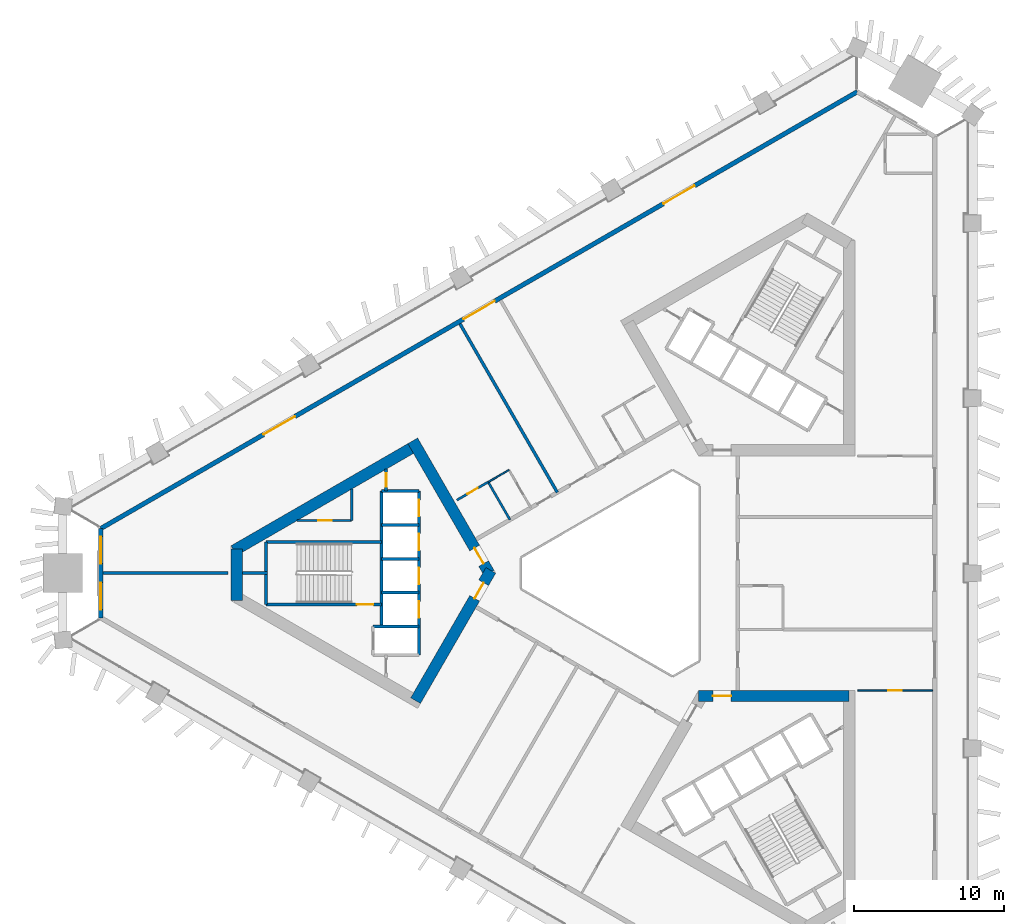
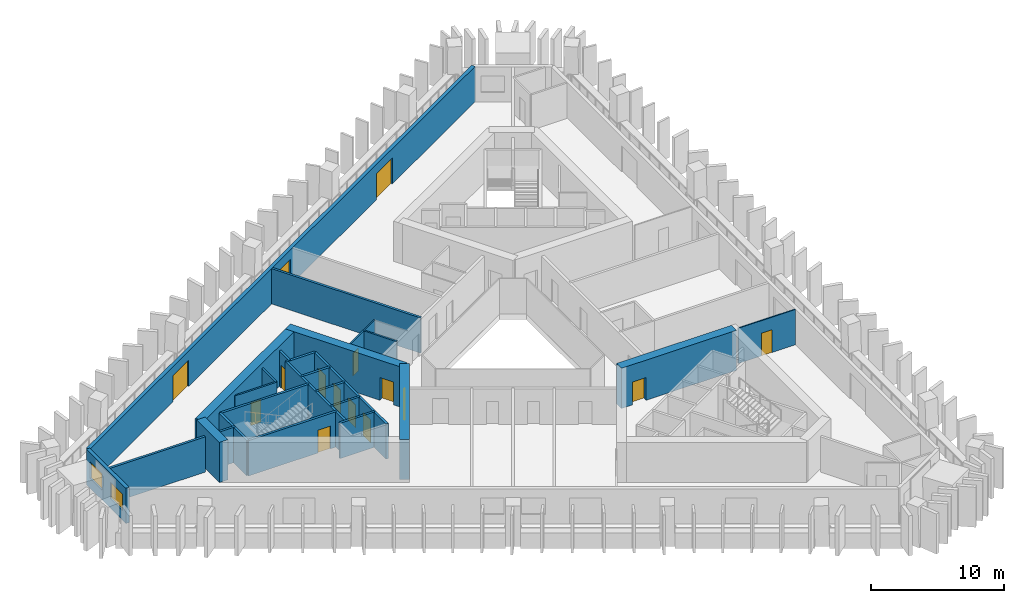
# One storey, part 4 of 9: 27 walls, 15 doors, 2 windows, 17 openings.
"""IFC4 building model written with IfcOpenShell, lengths in metres."""

from ifc_helpers import new_model, si_unit, direction, frame, frame_2d, origin, place, context, subcontext, project, spatial, rectangle, extrude, material, layer, layer_set, type_object, element, fill, save


model = new_model("IFC4")

# Units and contexts
model_context = context("Model", 3, precision=1e-05, world=origin(), true_north=direction((0.0, 1.0)))
body_context = subcontext(model_context, "Body", "Model", "MODEL_VIEW")
ifc_project = project(units=[si_unit("LENGTHUNIT", "METRE"), si_unit("AREAUNIT", "SQUARE_METRE"), si_unit("VOLUMEUNIT", "CUBIC_METRE"), si_unit("PLANEANGLEUNIT", "RADIAN"), si_unit("MASSUNIT", "GRAM", prefix="KILO")], contexts=[model_context])

# Site, building, storey
site_placement = place(None, origin())
site = spatial("IfcSite", under=ifc_project, at=site_placement, CompositionType="ELEMENT")
building_placement = place(site_placement, origin())
building = spatial("IfcBuilding", under=site, at=building_placement, Name="Jabali Bay Hotel Tower and Convention Centre", CompositionType="ELEMENT")
storey_placement = place(building_placement, frame((0.0, 0.0, 94.300048828125)))
storey = spatial("IfcBuildingStorey", under=building, at=storey_placement, Name="L22", CompositionType="ELEMENT", Elevation=94.300048828125)

# Wall
ifc_material_1 = material(Name="Concrete C40", Category="concrete")
ifc_layer_1 = layer(ifc_material_1, 0.199951171875)
ifc_layer_set_1 = layer_set([ifc_layer_1], Name="Concrete C40")
wall_type_1 = type_object("IfcWallType", Name="Core partition wall 200", PredefinedType="PARTITIONING", material=ifc_layer_set_1)
wall_1_placement = place(storey_placement, frame((50.820068359375, 80.0, 0.0), z_axis=(0.0, 0.0, 1.0), x_axis=(-1.0, 0.0, 0.0)))
element("IfcWall", 1, at=wall_1_placement, inside=storey, type_object=wall_type_1, Name="Core wall 0.5 L22", PredefinedType="PARTITIONING", context=body_context, shape_type="SweptSolid", body=[
    extrude(rectangle(XDim=1.673095703125, YDim=0.199951171875, at=frame_2d((0.83642578125, 0.0))), origin(), (0.0, 0.0, 1.0), 3.25),
])

# Wall, opening, door
wall_2_placement = place(storey_placement, frame((58.719970703125, 86.916748046875, 0.0), z_axis=(0.0, 0.0, 1.0), x_axis=(0.0, -1.0, 0.0)))
wall_2 = element("IfcWall", 2, at=wall_2_placement, inside=storey, type_object=wall_type_1, Name="Core wall 0.11 L22", PredefinedType="PARTITIONING", context=body_context, shape_type="SweptSolid", body=[
    extrude(rectangle(XDim=1.466796875, YDim=0.199951171875, at=frame_2d((0.7333984375, 0.0))), origin(), (0.0, 0.0, 1.0), 3.25),
])
opening_1_placement = place(wall_2_placement, frame((0.283447265625, 0.0, 0.0)))
opening_1 = element("IfcOpeningElement", 3, at=opening_1_placement, cuts=wall_2, Name="Opening D513", PredefinedType="OPENING", context=body_context, shape_type="SweptSolid", body=[
    extrude(rectangle(XDim=0.89990234375, YDim=2.10009765625, at=frame_2d((0.449951171875, 1.050048828125))), frame((0.0, 0.1103515625, 0.0), z_axis=(0.0, -1.0, 0.0), x_axis=(1.0, 0.0, 0.0)), (0.0, 0.0, 1.0), 0.220947265625),
])
ifc_material_2 = material(Name="Fire-rated steel door", Category="steel")
door_type_1 = type_object("IfcDoorType", Name="Vestibule fire door 900 x 2100", OperationType="NOTDEFINED", PredefinedType="NOTDEFINED", material=ifc_material_2)
door_1_placement = place(opening_1_placement, origin())
door_1 = element("IfcDoor", 4, at=door_1_placement, inside=storey, type_object=door_type_1, Name="Vestibule fire door D513", OperationType="SINGLE_SWING_LEFT", OverallHeight=2.10009765625, OverallWidth=0.89990234375, PredefinedType="NOTDEFINED", context=body_context, shape_type="SweptSolid", body=[
    extrude(rectangle(XDim=0.89990234375, YDim=2.10009765625, at=frame_2d((0.449951171875, 1.050048828125))), frame((0.0, 0.02490234375, 0.0), z_axis=(0.0, -1.0, 0.0), x_axis=(1.0, 0.0, 0.0)), (0.0, 0.0, 1.0), 0.050048828125),
])
fill(opening_1, door_1)

ifc_material_3 = material(Name="Fire-rated board partition")
ifc_layer_2 = layer(ifc_material_3, 0.14990234375)
ifc_layer_set_2 = layer_set([ifc_layer_2], Name="Fire-rated board partition")
wall_type_2 = type_object("IfcWallType", Name="Core room partition 150", PredefinedType="PARTITIONING", material=ifc_layer_set_2)
wall_3_placement = place(storey_placement, frame((56.419921875, 83.5, 0.0), z_axis=(0.0, 0.0, 1.0), x_axis=(-1.0, 0.0, 0.0)))
wall_3 = element("IfcWall", 5, at=wall_3_placement, inside=storey, type_object=wall_type_2, Name="Core wall 0.1 L22", PredefinedType="PARTITIONING", context=body_context, shape_type="SweptSolid", body=[
    extrude(rectangle(XDim=3.61767578125, YDim=0.14990234375, at=frame_2d((1.808837890625, 0.0))), origin(), (0.0, 0.0, 1.0), 3.25),
])
opening_2_placement = place(wall_3_placement, frame((1.33154296875, 0.0, 0.0)))
opening_2 = element("IfcOpeningElement", 6, at=opening_2_placement, cuts=wall_3, Name="Opening D515", PredefinedType="OPENING", context=body_context, shape_type="SweptSolid", body=[
    extrude(rectangle(XDim=0.89990234375, YDim=2.10009765625, at=frame_2d((0.449951171875, 1.050048828125))), frame((0.0, 0.08544921875, 0.0), z_axis=(0.0, -1.0, 0.0), x_axis=(1.0, 0.0, 0.0)), (0.0, 0.0, 1.0), 0.1708984375),
])
door_type_2 = type_object("IfcDoorType", Name="Core room door 900 x 2100", OperationType="NOTDEFINED", PredefinedType="NOTDEFINED", material=ifc_material_2)
door_2_placement = place(opening_2_placement, origin())
door_2 = element("IfcDoor", 7, at=door_2_placement, inside=storey, type_object=door_type_2, Name="Core room door D515", OperationType="SINGLE_SWING_LEFT", OverallHeight=2.10009765625, OverallWidth=0.89990234375, PredefinedType="NOTDEFINED", context=body_context, shape_type="SweptSolid", body=[
    extrude(rectangle(XDim=0.89990234375, YDim=2.10009765625, at=frame_2d((0.449951171875, 1.050048828125))), frame((0.0, 0.02490234375, 0.0), z_axis=(0.0, -1.0, 0.0), x_axis=(1.0, 0.0, 0.0)), (0.0, 0.0, 1.0), 0.050048828125),
])
fill(opening_2, door_2)

# Walls
wall_4_placement = place(storey_placement, frame((56.419921875, 85.5888671875, 0.0), z_axis=(0.0, 0.0, 1.0), x_axis=(0.0, -1.0, 0.0)))
element("IfcWall", 8, at=wall_4_placement, inside=storey, type_object=wall_type_2, Name="Core wall 0.15 L22", PredefinedType="PARTITIONING", context=body_context, shape_type="SweptSolid", body=[
    extrude(rectangle(XDim=2.0888671875, YDim=0.14990234375, at=frame_2d((1.04443359375, 0.0))), origin(), (0.0, 0.0, 1.0), 3.25),
])
ifc_layer_3 = layer(ifc_material_1, 0.199951171875)
ifc_layer_set_3 = layer_set([ifc_layer_3], Name="Concrete C40")
wall_type_3 = type_object("IfcWallType", Name="Core stair wall 200", PredefinedType="SOLIDWALL", material=ifc_layer_set_3)
for number, where, z_axis, x_axis, name in (
    (9, (60.89990234375, 85.449951171875, 0.0), (0.0, 0.0, 1.0), (-1.0, 0.0, 0.0), "Core wall 0.0 L22"),
    (10, (60.89990234375, 83.199951171875, 0.0), (0.0, 0.0, 1.0), (-1.0, 0.0, 0.0), "Core wall 0.2 L22"),
):
    element("IfcWall", number, at=place(storey_placement, frame(where, z_axis=z_axis, x_axis=x_axis)), inside=storey, type_object=wall_type_3, Name=name, PredefinedType="SOLIDWALL", context=body_context, shape_type="SweptSolid", body=[
        extrude(rectangle(XDim=2.47998046875, YDim=0.199951171875, at=frame_2d((1.239990234375, 0.0))), origin(), (0.0, 0.0, 1.0), 3.25),
    ])
wall_5_placement = place(storey_placement, frame((58.419921875, 82.074951171875, 0.0), z_axis=(0.0, 0.0, 1.0), x_axis=(-1.0, 0.0, 0.0)))
element("IfcWall", 11, at=wall_5_placement, inside=storey, type_object=wall_type_3, Name="Core wall 0.3 L22", PredefinedType="SOLIDWALL", context=body_context, shape_type="SweptSolid", body=[
    extrude(rectangle(XDim=7.699951171875, YDim=0.199951171875, at=frame_2d((3.85009765625, 0.0))), origin(), (0.0, 0.0, 1.0), 3.25),
])
for number, where, z_axis, x_axis, name in (
    (12, (60.89990234375, 80.949951171875, 0.0), (0.0, 0.0, 1.0), (-1.0, 0.0, 0.0), "Core wall 0.4 L22"),
    (13, (60.89990234375, 78.699951171875, 0.0), (0.0, 0.0, 1.0), (-1.0, 0.0, 0.0), "Core wall 0.6 L22"),
):
    element("IfcWall", number, at=place(storey_placement, frame(where, z_axis=z_axis, x_axis=x_axis)), inside=storey, type_object=wall_type_3, Name=name, PredefinedType="SOLIDWALL", context=body_context, shape_type="SweptSolid", body=[
        extrude(rectangle(XDim=2.47998046875, YDim=0.199951171875, at=frame_2d((1.239990234375, 0.0))), origin(), (0.0, 0.0, 1.0), 3.25),
    ])

# Wall, opening, door
wall_6_placement = place(storey_placement, frame((58.419921875, 77.925048828125, 0.0), z_axis=(0.0, 0.0, 1.0), x_axis=(-1.0, 0.0, 0.0)))
wall_6 = element("IfcWall", 14, at=wall_6_placement, inside=storey, type_object=wall_type_3, Name="Core wall 0.7 L22", PredefinedType="SOLIDWALL", context=body_context, shape_type="SweptSolid", body=[
    extrude(rectangle(XDim=7.699951171875, YDim=0.199951171875, at=frame_2d((3.85009765625, 0.0))), origin(), (0.0, 0.0, 1.0), 3.25),
])
opening_3_placement = place(wall_6_placement, frame((0.550048828125, 0.0, 0.0)))
opening_3 = element("IfcOpeningElement", 15, at=opening_3_placement, cuts=wall_6, Name="Opening D514", PredefinedType="OPENING", context=body_context, shape_type="SweptSolid", body=[
    extrude(rectangle(XDim=1.10009765625, YDim=2.10009765625, at=frame_2d((0.550048828125, 1.050048828125))), frame((0.0, 0.1103515625, 0.0), z_axis=(0.0, -1.0, 0.0), x_axis=(1.0, 0.0, 0.0)), (0.0, 0.0, 1.0), 0.220947265625),
])
door_type_3 = type_object("IfcDoorType", Name="Stair fire door 1100 x 2100", OperationType="NOTDEFINED", PredefinedType="NOTDEFINED", material=ifc_material_2)
door_3_placement = place(opening_3_placement, origin())
door_3 = element("IfcDoor", 16, at=door_3_placement, inside=storey, type_object=door_type_3, Name="Stair fire door D514", OperationType="SINGLE_SWING_RIGHT", OverallHeight=2.10009765625, OverallWidth=1.10009765625, PredefinedType="NOTDEFINED", context=body_context, shape_type="SweptSolid", body=[
    extrude(rectangle(XDim=1.10009765625, YDim=2.10009765625, at=frame_2d((0.550048828125, 1.050048828125))), frame((0.0, 0.02490234375, 0.0), z_axis=(0.0, -1.0, 0.0), x_axis=(1.0, 0.0, 0.0)), (0.0, 0.0, 1.0), 0.050048828125),
])
fill(opening_3, door_3)

# Wall
wall_7_placement = place(storey_placement, frame((60.89990234375, 76.449951171875, 0.0), z_axis=(0.0, 0.0, 1.0), x_axis=(-1.0, 0.0, 0.0)))
element("IfcWall", 17, at=wall_7_placement, inside=storey, type_object=wall_type_3, Name="Core wall 0.8 L22", PredefinedType="SOLIDWALL", context=body_context, shape_type="SweptSolid", body=[
    extrude(rectangle(XDim=3.0498046875, YDim=0.199951171875, at=frame_2d((1.52490234375, 0.0))), origin(), (0.0, 0.0, 1.0), 3.25),
])

# Wall, openings, doors
wall_8_placement = place(storey_placement, frame((60.89990234375, 85.449951171875, 0.0), z_axis=(0.0, 0.0, 1.0), x_axis=(0.0, -1.0, 0.0)))
wall_8 = element("IfcWall", 18, at=wall_8_placement, inside=storey, type_object=wall_type_3, Name="Core wall 0.10 L22", PredefinedType="SOLIDWALL", context=body_context, shape_type="SweptSolid", body=[
    extrude(rectangle(XDim=10.89990234375, YDim=0.199951171875, at=frame_2d((5.449951171875, 0.0))), origin(), (0.0, 0.0, 1.0), 3.25),
])
opening_4_placement = place(wall_8_placement, frame((0.574951171875, 0.0, 0.0)))
opening_4 = element("IfcOpeningElement", 19, at=opening_4_placement, cuts=wall_8, Name="Opening LD1-L22", PredefinedType="OPENING", context=body_context, shape_type="SweptSolid", body=[
    extrude(rectangle(XDim=1.10009765625, YDim=2.10009765625, at=frame_2d((0.550048828125, 1.050048828125))), frame((0.0, 0.1103515625, 0.0), z_axis=(0.0, -1.0, 0.0), x_axis=(1.0, 0.0, 0.0)), (0.0, 0.0, 1.0), 0.220947265625),
])
opening_5_placement = place(wall_8_placement, frame((2.824951171875, 0.0, 0.0)))
opening_5 = element("IfcOpeningElement", 20, at=opening_5_placement, cuts=wall_8, Name="Opening LD2-L22", PredefinedType="OPENING", context=body_context, shape_type="SweptSolid", body=[
    extrude(rectangle(XDim=1.10009765625, YDim=2.10009765625, at=frame_2d((0.550048828125, 1.050048828125))), frame((0.0, 0.1103515625, 0.0), z_axis=(0.0, -1.0, 0.0), x_axis=(1.0, 0.0, 0.0)), (0.0, 0.0, 1.0), 0.220947265625),
])
opening_6_placement = place(wall_8_placement, frame((5.074951171875, 0.0, 0.0)))
opening_6 = element("IfcOpeningElement", 21, at=opening_6_placement, cuts=wall_8, Name="Opening LD3-L22", PredefinedType="OPENING", context=body_context, shape_type="SweptSolid", body=[
    extrude(rectangle(XDim=1.10009765625, YDim=2.10009765625, at=frame_2d((0.550048828125, 1.050048828125))), frame((0.0, 0.1103515625, 0.0), z_axis=(0.0, -1.0, 0.0), x_axis=(1.0, 0.0, 0.0)), (0.0, 0.0, 1.0), 0.220947265625),
])
opening_7_placement = place(wall_8_placement, frame((7.324951171875, 0.0, 0.0)))
opening_7 = element("IfcOpeningElement", 22, at=opening_7_placement, cuts=wall_8, Name="Opening LD4-L22", PredefinedType="OPENING", context=body_context, shape_type="SweptSolid", body=[
    extrude(rectangle(XDim=1.10009765625, YDim=2.10009765625, at=frame_2d((0.550048828125, 1.050048828125))), frame((0.0, 0.1103515625, 0.0), z_axis=(0.0, -1.0, 0.0), x_axis=(1.0, 0.0, 0.0)), (0.0, 0.0, 1.0), 0.220947265625),
])
ifc_material_4 = material(Name="Stainless steel landing door", Category="steel")
door_type_4 = type_object("IfcDoorType", Name="Landing door 1100 x 2100", OperationType="NOTDEFINED", PredefinedType="NOTDEFINED", material=ifc_material_4)
door_4_placement = place(opening_4_placement, origin())
door_4 = element("IfcDoor", 23, at=door_4_placement, inside=storey, type_object=door_type_4, Name="Landing doors LD1-L22", OperationType="SLIDING_TO_RIGHT", OverallHeight=2.10009765625, OverallWidth=1.10009765625, PredefinedType="NOTDEFINED", context=body_context, shape_type="SweptSolid", body=[
    extrude(rectangle(XDim=1.10009765625, YDim=2.10009765625, at=frame_2d((0.550048828125, 1.050048828125))), frame((0.0, 0.02490234375, 0.0), z_axis=(0.0, -1.0, 0.0), x_axis=(1.0, 0.0, 0.0)), (0.0, 0.0, 1.0), 0.050048828125),
])
fill(opening_4, door_4)
door_5_placement = place(opening_5_placement, origin())
door_5 = element("IfcDoor", 24, at=door_5_placement, inside=storey, type_object=door_type_4, Name="Landing doors LD2-L22", OperationType="SLIDING_TO_LEFT", OverallHeight=2.10009765625, OverallWidth=1.10009765625, PredefinedType="NOTDEFINED", context=body_context, shape_type="SweptSolid", body=[
    extrude(rectangle(XDim=1.10009765625, YDim=2.10009765625, at=frame_2d((0.550048828125, 1.050048828125))), frame((0.0, 0.02490234375, 0.0), z_axis=(0.0, -1.0, 0.0), x_axis=(1.0, 0.0, 0.0)), (0.0, 0.0, 1.0), 0.050048828125),
])
fill(opening_5, door_5)
door_6_placement = place(opening_6_placement, origin())
door_6 = element("IfcDoor", 25, at=door_6_placement, inside=storey, type_object=door_type_4, Name="Landing doors LD3-L22", OperationType="SLIDING_TO_RIGHT", OverallHeight=2.10009765625, OverallWidth=1.10009765625, PredefinedType="NOTDEFINED", context=body_context, shape_type="SweptSolid", body=[
    extrude(rectangle(XDim=1.10009765625, YDim=2.10009765625, at=frame_2d((0.550048828125, 1.050048828125))), frame((0.0, 0.02490234375, 0.0), z_axis=(0.0, -1.0, 0.0), x_axis=(1.0, 0.0, 0.0)), (0.0, 0.0, 1.0), 0.050048828125),
])
fill(opening_6, door_6)
door_7_placement = place(opening_7_placement, origin())
door_7 = element("IfcDoor", 26, at=door_7_placement, inside=storey, type_object=door_type_4, Name="Landing doors LD4-L22", OperationType="SLIDING_TO_LEFT", OverallHeight=2.10009765625, OverallWidth=1.10009765625, PredefinedType="NOTDEFINED", context=body_context, shape_type="SweptSolid", body=[
    extrude(rectangle(XDim=1.10009765625, YDim=2.10009765625, at=frame_2d((0.550048828125, 1.050048828125))), frame((0.0, 0.02490234375, 0.0), z_axis=(0.0, -1.0, 0.0), x_axis=(1.0, 0.0, 0.0)), (0.0, 0.0, 1.0), 0.050048828125),
])
fill(opening_7, door_7)

# Walls
wall_9_placement = place(storey_placement, frame((58.419921875, 85.449951171875, 0.0), z_axis=(0.0, 0.0, 1.0), x_axis=(0.0, -1.0, 0.0)))
element("IfcWall", 27, at=wall_9_placement, inside=storey, type_object=wall_type_3, Name="Core wall 0.13 L22", PredefinedType="SOLIDWALL", context=body_context, shape_type="SweptSolid", body=[
    extrude(rectangle(XDim=9.0, YDim=0.199951171875, at=frame_2d((4.5, 0.0))), origin(), (0.0, 0.0, 1.0), 3.25),
])
wall_10_placement = place(storey_placement, frame((50.719970703125, 82.074951171875, 0.0), z_axis=(0.0, 0.0, 1.0), x_axis=(0.0, -1.0, 0.0)))
element("IfcWall", 28, at=wall_10_placement, inside=storey, type_object=wall_type_3, Name="Core wall 0.16 L22", PredefinedType="SOLIDWALL", context=body_context, shape_type="SweptSolid", body=[
    extrude(rectangle(XDim=4.14990234375, YDim=0.199951171875, at=frame_2d((2.074951171875, 0.0))), origin(), (0.0, 0.0, 1.0), 3.25),
])

# Wall, opening, door
ifc_material_5 = material(Name="Concrete C60", Category="concrete")
ifc_layer_4 = layer(ifc_material_5, 0.75)
ifc_layer_set_4 = layer_set([ifc_layer_4], Name="Concrete C60")
wall_type_4 = type_object("IfcWallType", Name="Core wall 750", PredefinedType="SHEAR", material=ifc_layer_set_4)
wall_11_placement = place(storey_placement, frame((65.56689453125, 80.0, 0.0), z_axis=(0.0, 0.0, 1.0), x_axis=(-0.499988615364, 0.866031976607, 0.0)))
wall_11 = element("IfcWall", 29, at=wall_11_placement, inside=storey, type_object=wall_type_4, Name="Core wall 1.1 L22", PredefinedType="SHEAR", context=body_context, shape_type="SweptSolid", body=[
    extrude(rectangle(XDim=10.163330078125, YDim=0.75, at=frame_2d((5.08154296875, 0.0))), origin(), (0.0, 0.0, 1.0), 3.699951171875),
])
opening_8_placement = place(wall_11_placement, frame((0.7333984375, 0.0, 0.0)))
opening_8 = element("IfcOpeningElement", 30, at=opening_8_placement, cuts=wall_11, Name="Opening D510", PredefinedType="OPENING", context=body_context, shape_type="SweptSolid", body=[
    extrude(rectangle(XDim=1.199951171875, YDim=2.10009765625, at=frame_2d((0.60009765625, 1.050048828125))), frame((0.0, 0.385498046875, 0.0), z_axis=(0.0, -1.0, 0.0), x_axis=(1.0, 0.0, 0.0)), (0.0, 0.0, 1.0), 0.77099609375),
])
door_type_5 = type_object("IfcDoorType", Name="Corridor end fire door 1200 x 2100", OperationType="NOTDEFINED", PredefinedType="NOTDEFINED", material=ifc_material_2)
door_8_placement = place(opening_8_placement, origin())
door_8 = element("IfcDoor", 31, at=door_8_placement, inside=storey, type_object=door_type_5, Name="Corridor end fire door D510", OperationType="SINGLE_SWING_RIGHT", OverallHeight=2.10009765625, OverallWidth=1.199951171875, PredefinedType="NOTDEFINED", context=body_context, shape_type="SweptSolid", body=[
    extrude(rectangle(XDim=1.199951171875, YDim=2.10009765625, at=frame_2d((0.60009765625, 1.050048828125))), frame((0.0, 0.02490234375, 0.0), z_axis=(0.0, -1.0, 0.0), x_axis=(1.0, 0.0, 0.0)), (0.0, 0.0, 1.0), 0.050048828125),
])
fill(opening_8, door_8)

# Walls
wall_12_placement = place(storey_placement, frame((60.6728515625, 88.47705078125, 0.0), z_axis=(0.0, 0.0, 1.0), x_axis=(-0.8660248072, -0.500001033313, 0.0)))
element("IfcWall", 32, at=wall_12_placement, inside=storey, type_object=wall_type_4, Name="Core wall 1.2 L22", PredefinedType="SHEAR", context=body_context, shape_type="SweptSolid", body=[
    extrude(rectangle(XDim=13.95849609375, YDim=0.75, at=frame_2d((6.979248046875, 0.0))), origin(), (0.0, 0.0, 1.0), 3.699951171875),
])
wall_13_placement = place(storey_placement, frame((48.77197265625, 81.606201171875, 0.0), z_axis=(0.0, 0.0, 1.0), x_axis=(0.0, -1.0, 0.0)))
element("IfcWall", 33, at=wall_13_placement, inside=storey, type_object=wall_type_4, Name="Core wall 1.3 L22", PredefinedType="SHEAR", context=body_context, shape_type="SweptSolid", body=[
    extrude(rectangle(XDim=3.428955078125, YDim=0.75, at=frame_2d((1.71435546875, 0.0))), origin(), (0.0, 0.0, 1.0), 3.699951171875),
])

# Wall, opening, door
wall_14_placement = place(storey_placement, frame((60.6728515625, 71.52294921875, 0.0), z_axis=(0.0, 0.0, 1.0), x_axis=(0.499997052475, 0.866027105532, 0.0)))
wall_14 = element("IfcWall", 34, at=wall_14_placement, inside=storey, type_object=wall_type_4, Name="Core wall 1.5 L22", PredefinedType="SHEAR", context=body_context, shape_type="SweptSolid", body=[
    extrude(rectangle(XDim=10.0048828125, YDim=0.75, at=frame_2d((5.00244140625, 0.0))), origin(), (0.0, 0.0, 1.0), 3.699951171875),
])
opening_9_placement = place(wall_14_placement, frame((7.85498046875, 0.0, 0.0)))
opening_9 = element("IfcOpeningElement", 35, at=opening_9_placement, cuts=wall_14, Name="Opening D511", PredefinedType="OPENING", context=body_context, shape_type="SweptSolid", body=[
    extrude(rectangle(XDim=1.199951171875, YDim=2.10009765625, at=frame_2d((0.60009765625, 1.050048828125))), frame((0.0, 0.385498046875, 0.0), z_axis=(0.0, -1.0, 0.0), x_axis=(1.0, 0.0, 0.0)), (0.0, 0.0, 1.0), 0.77099609375),
])
door_9_placement = place(opening_9_placement, origin())
door_9 = element("IfcDoor", 36, at=door_9_placement, inside=storey, type_object=door_type_5, Name="Corridor end fire door D511", OperationType="SINGLE_SWING_LEFT", OverallHeight=2.10009765625, OverallWidth=1.199951171875, PredefinedType="NOTDEFINED", context=body_context, shape_type="SweptSolid", body=[
    extrude(rectangle(XDim=1.199951171875, YDim=2.10009765625, at=frame_2d((0.60009765625, 1.050048828125))), frame((0.0, 0.02490234375, 0.0), z_axis=(0.0, -1.0, 0.0), x_axis=(1.0, 0.0, 0.0)), (0.0, 0.0, 1.0), 0.050048828125),
])
fill(opening_9, door_9)

wall_15_placement = place(storey_placement, frame((89.5048828125, 71.830810546875, 0.0), z_axis=(0.0, 0.0, 1.0), x_axis=(-1.0, 0.0, 0.0)))
wall_15 = element("IfcWall", 37, at=wall_15_placement, inside=storey, type_object=wall_type_4, Name="Core wall 3.5 L22", PredefinedType="SHEAR", context=body_context, shape_type="SweptSolid", body=[
    extrude(rectangle(XDim=10.0048828125, YDim=0.75, at=frame_2d((5.00244140625, 0.0))), origin(), (0.0, 0.0, 1.0), 3.699951171875),
])
opening_10_placement = place(wall_15_placement, frame((7.85498046875, 0.0, 0.0)))
opening_10 = element("IfcOpeningElement", 38, at=opening_10_placement, cuts=wall_15, Name="Opening D523", PredefinedType="OPENING", context=body_context, shape_type="SweptSolid", body=[
    extrude(rectangle(XDim=1.199951171875, YDim=2.10009765625, at=frame_2d((0.60009765625, 1.050048828125))), frame((0.0, 0.385498046875, 0.0), z_axis=(0.0, -1.0, 0.0), x_axis=(1.0, 0.0, 0.0)), (0.0, 0.0, 1.0), 0.77099609375),
])
door_10_placement = place(opening_10_placement, origin())
door_10 = element("IfcDoor", 39, at=door_10_placement, inside=storey, type_object=door_type_5, Name="Corridor end fire door D523", OperationType="SINGLE_SWING_LEFT", OverallHeight=2.10009765625, OverallWidth=1.199951171875, PredefinedType="NOTDEFINED", context=body_context, shape_type="SweptSolid", body=[
    extrude(rectangle(XDim=1.199951171875, YDim=2.10009765625, at=frame_2d((0.60009765625, 1.050048828125))), frame((0.0, 0.02490234375, 0.0), z_axis=(0.0, -1.0, 0.0), x_axis=(1.0, 0.0, 0.0)), (0.0, 0.0, 1.0), 0.050048828125),
])
fill(opening_10, door_10)

# Wall, openings, windows
ifc_layer_5 = layer(ifc_material_1, 0.300048828125)
ifc_layer_set_5 = layer_set([ifc_layer_5], Name="Concrete C40")
wall_type_5 = type_object("IfcWallType", Name="External wall 300", PredefinedType="SOLIDWALL", material=ifc_layer_set_5)
wall_16_placement = place(storey_placement, frame((39.744140625, 77.02783203125, 0.0), z_axis=(0.0, 0.0, 1.0), x_axis=(0.0, 1.0, 0.0)))
wall_16 = element("IfcWall", 40, at=wall_16_placement, inside=storey, type_object=wall_type_5, Name="External wall west chamfer L22", PredefinedType="SOLIDWALL", context=body_context, shape_type="SweptSolid", body=[
    extrude(rectangle(XDim=5.9443359375, YDim=0.300048828125, at=frame_2d((2.97216796875, 0.0))), origin(), (0.0, 0.0, 1.0), 3.25),
])
opening_11_placement = place(wall_16_placement, frame((0.543212890625, 0.0, 0.89990234375)))
opening_11 = element("IfcOpeningElement", 41, at=opening_11_placement, cuts=wall_16, Name="Opening W1", PredefinedType="OPENING", context=body_context, shape_type="SweptSolid", body=[
    extrude(rectangle(XDim=1.800048828125, YDim=1.5, at=frame_2d((0.89990234375, 0.75))), frame((0.0, 0.16064453125, 0.0), z_axis=(0.0, -1.0, 0.0), x_axis=(1.0, 0.0, 0.0)), (0.0, 0.0, 1.0), 0.321044921875),
])
opening_12_placement = place(wall_16_placement, frame((3.60107421875, 0.0, 0.89990234375)))
opening_12 = element("IfcOpeningElement", 42, at=opening_12_placement, cuts=wall_16, Name="Opening W1", PredefinedType="OPENING", context=body_context, shape_type="SweptSolid", body=[
    extrude(rectangle(XDim=1.800048828125, YDim=1.5, at=frame_2d((0.89990234375, 0.75))), frame((0.0, 0.16064453125, 0.0), z_axis=(0.0, -1.0, 0.0), x_axis=(1.0, 0.0, 0.0)), (0.0, 0.0, 1.0), 0.321044921875),
])
ifc_material_6 = material(Name="Glass", Category="glass")
window_type = type_object("IfcWindowType", Name="Window 1800 x 1500", PartitioningType="SINGLE_PANEL", PredefinedType="WINDOW", material=ifc_material_6)
window_1_placement = place(opening_11_placement, origin())
window_1 = element("IfcWindow", 43, at=window_1_placement, inside=storey, type_object=window_type, Name="Window 2206", OverallHeight=1.5, OverallWidth=1.800048828125, PartitioningType="SINGLE_PANEL", PredefinedType="WINDOW", context=body_context, shape_type="SweptSolid", body=[
    extrude(rectangle(XDim=1.800048828125, YDim=1.5, at=frame_2d((0.89990234375, 0.75))), frame((0.0, 0.030029296875, 0.0), z_axis=(0.0, -1.0, 0.0), x_axis=(1.0, 0.0, 0.0)), (0.0, 0.0, 1.0), 0.06005859375),
])
fill(opening_11, window_1)
window_2_placement = place(opening_12_placement, origin())
window_2 = element("IfcWindow", 44, at=window_2_placement, inside=storey, type_object=window_type, Name="Window 2205", OverallHeight=1.5, OverallWidth=1.800048828125, PartitioningType="SINGLE_PANEL", PredefinedType="WINDOW", context=body_context, shape_type="SweptSolid", body=[
    extrude(rectangle(XDim=1.800048828125, YDim=1.5, at=frame_2d((0.89990234375, 0.75))), frame((0.0, 0.030029296875, 0.0), z_axis=(0.0, -1.0, 0.0), x_axis=(1.0, 0.0, 0.0)), (0.0, 0.0, 1.0), 0.06005859375),
])
fill(opening_12, window_2)

# Wall, openings, doors
wall_17_placement = place(storey_placement, frame((39.744140625, 82.97216796875, 0.0), z_axis=(0.0, 0.0, 1.0), x_axis=(0.866025390357, 0.500000023256, 0.0)))
wall_17 = element("IfcWall", 45, at=wall_17_placement, inside=storey, type_object=wall_type_5, Name="External wall north-west face L22", PredefinedType="SOLIDWALL", context=body_context, shape_type="SweptSolid", body=[
    extrude(rectangle(XDim=58.0927734375, YDim=0.300048828125, at=frame_2d((29.04638671875, 0.0))), origin(), (0.0, 0.0, 1.0), 3.25),
])
opening_13_placement = place(wall_17_placement, frame((43.192138671875, 0.0, 0.0)))
opening_13 = element("IfcOpeningElement", 46, at=opening_13_placement, cuts=wall_17, Name="Opening SD1", PredefinedType="OPENING", context=body_context, shape_type="SweptSolid", body=[
    extrude(rectangle(XDim=2.39990234375, YDim=2.39990234375, at=frame_2d((1.199951171875, 1.199951171875))), frame((0.0, 0.16064453125, 0.0), z_axis=(0.0, -1.0, 0.0), x_axis=(1.0, 0.0, 0.0)), (0.0, 0.0, 1.0), 0.321044921875),
])
opening_14_placement = place(wall_17_placement, frame((12.50048828125, 0.0, 0.0)))
opening_14 = element("IfcOpeningElement", 47, at=opening_14_placement, cuts=wall_17, Name="Opening SD1", PredefinedType="OPENING", context=body_context, shape_type="SweptSolid", body=[
    extrude(rectangle(XDim=2.39990234375, YDim=2.39990234375, at=frame_2d((1.199951171875, 1.199951171875))), frame((0.0, 0.16064453125, 0.0), z_axis=(0.0, -1.0, 0.0), x_axis=(1.0, 0.0, 0.0)), (0.0, 0.0, 1.0), 0.321044921875),
])
opening_15_placement = place(wall_17_placement, frame((27.846435546875, 0.0, 0.0)))
opening_15 = element("IfcOpeningElement", 48, at=opening_15_placement, cuts=wall_17, Name="Opening SD1", PredefinedType="OPENING", context=body_context, shape_type="SweptSolid", body=[
    extrude(rectangle(XDim=2.39990234375, YDim=2.39990234375, at=frame_2d((1.199951171875, 1.199951171875))), frame((0.0, 0.16064453125, 0.0), z_axis=(0.0, -1.0, 0.0), x_axis=(1.0, 0.0, 0.0)), (0.0, 0.0, 1.0), 0.321044921875),
])
door_type_6 = type_object("IfcDoorType", Name="Loggia sliding door 2400 x 2400", OperationType="NOTDEFINED", PredefinedType="NOTDEFINED", material=ifc_material_6)
door_11_placement = place(opening_13_placement, origin())
door_11 = element("IfcDoor", 49, at=door_11_placement, inside=storey, type_object=door_type_6, Name="Loggia sliding door 2204", OperationType="SLIDING_TO_LEFT", OverallHeight=2.39990234375, OverallWidth=2.39990234375, PredefinedType="NOTDEFINED", context=body_context, shape_type="SweptSolid", body=[
    extrude(rectangle(XDim=2.39990234375, YDim=2.39990234375, at=frame_2d((1.199951171875, 1.199951171875))), frame((0.0, 0.02490234375, 0.0), z_axis=(0.0, -1.0, 0.0), x_axis=(1.0, 0.0, 0.0)), (0.0, 0.0, 1.0), 0.050048828125),
])
fill(opening_13, door_11)
door_12_placement = place(opening_14_placement, origin())
door_12 = element("IfcDoor", 50, at=door_12_placement, inside=storey, type_object=door_type_6, Name="Loggia sliding door 2205", OperationType="SLIDING_TO_RIGHT", OverallHeight=2.39990234375, OverallWidth=2.39990234375, PredefinedType="NOTDEFINED", context=body_context, shape_type="SweptSolid", body=[
    extrude(rectangle(XDim=2.39990234375, YDim=2.39990234375, at=frame_2d((1.199951171875, 1.199951171875))), frame((0.0, 0.02490234375, 0.0), z_axis=(0.0, -1.0, 0.0), x_axis=(1.0, 0.0, 0.0)), (0.0, 0.0, 1.0), 0.050048828125),
])
fill(opening_14, door_12)
door_13_placement = place(opening_15_placement, origin())
door_13 = element("IfcDoor", 51, at=door_13_placement, inside=storey, type_object=door_type_6, Name="Loggia sliding door", OperationType="SLIDING_TO_LEFT", OverallHeight=2.39990234375, OverallWidth=2.39990234375, PredefinedType="NOTDEFINED", context=body_context, shape_type="SweptSolid", body=[
    extrude(rectangle(XDim=2.39990234375, YDim=2.39990234375, at=frame_2d((1.199951171875, 1.199951171875))), frame((0.0, 0.02490234375, 0.0), z_axis=(0.0, -1.0, 0.0), x_axis=(1.0, 0.0, 0.0)), (0.0, 0.0, 1.0), 0.050048828125),
])
fill(opening_15, door_13)

# Wall, opening, door
ifc_material_7 = material(Name="Plasterboard on steel stud", Category="steel")
ifc_layer_6 = layer(ifc_material_7, 0.10009765625)
ifc_layer_set_6 = layer_set([ifc_layer_6], Name="Plasterboard on steel stud")
wall_type_6 = type_object("IfcWallType", Name="Partition 100 unit", PredefinedType="PARTITIONING", material=ifc_layer_set_6)
wall_18_placement = place(storey_placement, frame((90.0791015625, 72.205810546875, 0.0), z_axis=(0.0, 0.0, 1.0), x_axis=(1.0, 0.0, 0.0)))
wall_18 = element("IfcWall", 52, at=wall_18_placement, inside=storey, type_object=wall_type_6, Name="Partition P02 L22 001", PredefinedType="PARTITIONING", context=body_context, shape_type="SweptSolid", body=[
    extrude(rectangle(XDim=4.9736328125, YDim=0.10009765625, at=frame_2d((2.48681640625, 0.0))), origin(), (0.0, 0.0, 1.0), 3.25),
])
opening_16_placement = place(wall_18_placement, frame((2.037109375, 0.0, 0.0)))
opening_16 = element("IfcOpeningElement", 53, at=opening_16_placement, cuts=wall_18, Name="Opening 2202", PredefinedType="OPENING", context=body_context, shape_type="SweptSolid", body=[
    extrude(rectangle(XDim=0.89990234375, YDim=2.10009765625, at=frame_2d((0.449951171875, 1.050048828125))), frame((0.0, 0.060546875, 0.0), z_axis=(0.0, -1.0, 0.0), x_axis=(1.0, 0.0, 0.0)), (0.0, 0.0, 1.0), 0.12109375),
])
ifc_material_8 = material(Name="Timber", Category="wood")
door_type_7 = type_object("IfcDoorType", Name="Internal door 900 x 2100", OperationType="NOTDEFINED", PredefinedType="NOTDEFINED", material=ifc_material_8)
door_14_placement = place(opening_16_placement, origin())
door_14 = element("IfcDoor", 54, at=door_14_placement, inside=storey, type_object=door_type_7, Name="Door 2202", OperationType="SINGLE_SWING_RIGHT", OverallHeight=2.10009765625, OverallWidth=0.89990234375, PredefinedType="NOTDEFINED", context=body_context, shape_type="SweptSolid", body=[
    extrude(rectangle(XDim=0.89990234375, YDim=2.10009765625, at=frame_2d((0.449951171875, 1.050048828125))), frame((0.0, 0.02490234375, 0.0), z_axis=(0.0, -1.0, 0.0), x_axis=(1.0, 0.0, 0.0)), (0.0, 0.0, 1.0), 0.050048828125),
])
fill(opening_16, door_14)

# Wall
wall_19_placement = place(storey_placement, frame((65.501708984375, 86.063232421875, 0.0), z_axis=(0.0, 0.0, 1.0), x_axis=(0.866055983265, 0.499947031044, 0.0)))
element("IfcWall", 55, at=wall_19_placement, inside=storey, type_object=wall_type_6, Name="Partition P02 L22 023", PredefinedType="PARTITIONING", context=body_context, shape_type="SweptSolid", body=[
    extrude(rectangle(XDim=1.599853515625, YDim=0.10009765625, at=frame_2d((0.7998046875, 0.0))), origin(), (0.0, 0.0, 1.0), 3.25),
])

# Wall, opening, door
ifc_layer_7 = layer(ifc_material_7, 0.14990234375)
ifc_layer_set_7 = layer_set([ifc_layer_7], Name="Plasterboard on steel stud")
wall_type_7 = type_object("IfcWallType", Name="Partition 150 wet", PredefinedType="PARTITIONING", material=ifc_layer_set_7)
wall_20_placement = place(storey_placement, frame((63.42236328125, 84.862548828125, 0.0), z_axis=(0.0, 0.0, 1.0), x_axis=(0.865994240961, 0.500053971709, 0.0)))
wall_20 = element("IfcWall", 56, at=wall_20_placement, inside=storey, type_object=wall_type_7, Name="Partition P03 L22 022", PredefinedType="PARTITIONING", context=body_context, shape_type="SweptSolid", body=[
    extrude(rectangle(XDim=2.401123046875, YDim=0.14990234375, at=frame_2d((1.20068359375, 0.0))), origin(), (0.0, 0.0, 1.0), 3.25),
])
opening_17_placement = place(wall_20_placement, frame((0.801025390625, 0.0, 0.0)))
opening_17 = element("IfcOpeningElement", 57, at=opening_17_placement, cuts=wall_20, Name="Opening 2213", PredefinedType="OPENING", context=body_context, shape_type="SweptSolid", body=[
    extrude(rectangle(XDim=0.800048828125, YDim=2.10009765625, at=frame_2d((0.39990234375, 1.050048828125))), frame((0.0, 0.08544921875, 0.0), z_axis=(0.0, -1.0, 0.0), x_axis=(1.0, 0.0, 0.0)), (0.0, 0.0, 1.0), 0.1708984375),
])
door_type_8 = type_object("IfcDoorType", Name="En-suite door 800 x 2100", OperationType="NOTDEFINED", PredefinedType="NOTDEFINED", material=ifc_material_8)
door_15_placement = place(opening_17_placement, origin())
door_15 = element("IfcDoor", 58, at=door_15_placement, inside=storey, type_object=door_type_8, Name="Door 2213", OperationType="SINGLE_SWING_LEFT", OverallHeight=2.10009765625, OverallWidth=0.800048828125, PredefinedType="NOTDEFINED", context=body_context, shape_type="SweptSolid", body=[
    extrude(rectangle(XDim=0.800048828125, YDim=2.10009765625, at=frame_2d((0.39990234375, 1.050048828125))), frame((0.0, 0.02490234375, 0.0), z_axis=(0.0, -1.0, 0.0), x_axis=(1.0, 0.0, 0.0)), (0.0, 0.0, 1.0), 0.050048828125),
])
fill(opening_17, door_15)

# Walls
wall_21_placement = place(storey_placement, frame((66.95166015625, 83.5517578125, 0.0), z_axis=(0.0, 0.0, 1.0), x_axis=(-0.499987231761, 0.866032775405, 0.0)))
element("IfcWall", 59, at=wall_21_placement, inside=storey, type_object=wall_type_7, Name="Partition P03 L22 026", PredefinedType="PARTITIONING", context=body_context, shape_type="SweptSolid", body=[
    extrude(rectangle(XDim=2.89990234375, YDim=0.14990234375, at=frame_2d((1.449951171875, 0.0))), origin(), (0.0, 0.0, 1.0), 3.25),
])
ifc_layer_8 = layer(ifc_material_7, 0.199951171875)
ifc_layer_set_8 = layer_set([ifc_layer_8], Name="Plasterboard on steel stud")
wall_type_8 = type_object("IfcWallType", Name="Partition 200 party", PredefinedType="PARTITIONING", material=ifc_layer_set_8)
wall_22_placement = place(storey_placement, frame((63.62353515625, 96.5869140625, 0.0), z_axis=(0.0, 0.0, 1.0), x_axis=(0.500006886881, -0.866021427605, 0.0)))
element("IfcWall", 60, at=wall_22_placement, inside=storey, type_object=wall_type_8, Name="Partition P01 L22 021", PredefinedType="PARTITIONING", context=body_context, shape_type="SweptSolid", body=[
    extrude(rectangle(XDim=12.952880859375, YDim=0.199951171875, at=frame_2d((6.4765625, 0.0))), origin(), (0.0, 0.0, 1.0), 3.25),
])
wall_23_placement = place(storey_placement, frame((39.893310546875, 80.0009765625, 0.0), z_axis=(0.0, 0.0, 1.0), x_axis=(1.0, 0.0, 0.0)))
element("IfcWall", 61, at=wall_23_placement, inside=storey, type_object=wall_type_8, Name="Partition P01 L22 025", PredefinedType="PARTITIONING", context=body_context, shape_type="SweptSolid", body=[
    extrude(rectangle(XDim=8.3046875, YDim=0.199951171875, at=frame_2d((4.15234375, 0.0))), origin(), (0.0, 0.0, 1.0), 3.25),
])

save(model, "model.ifc")
